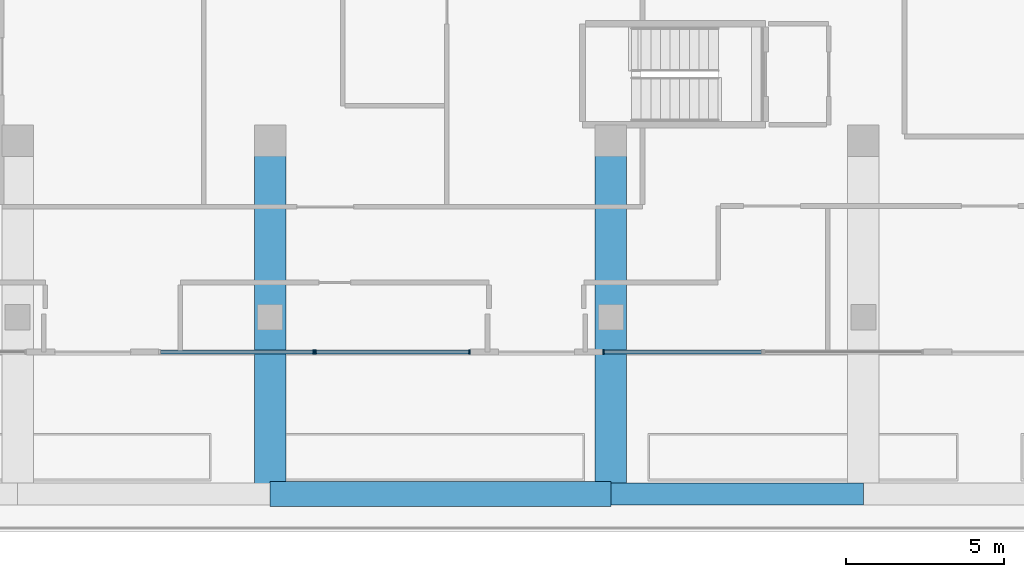
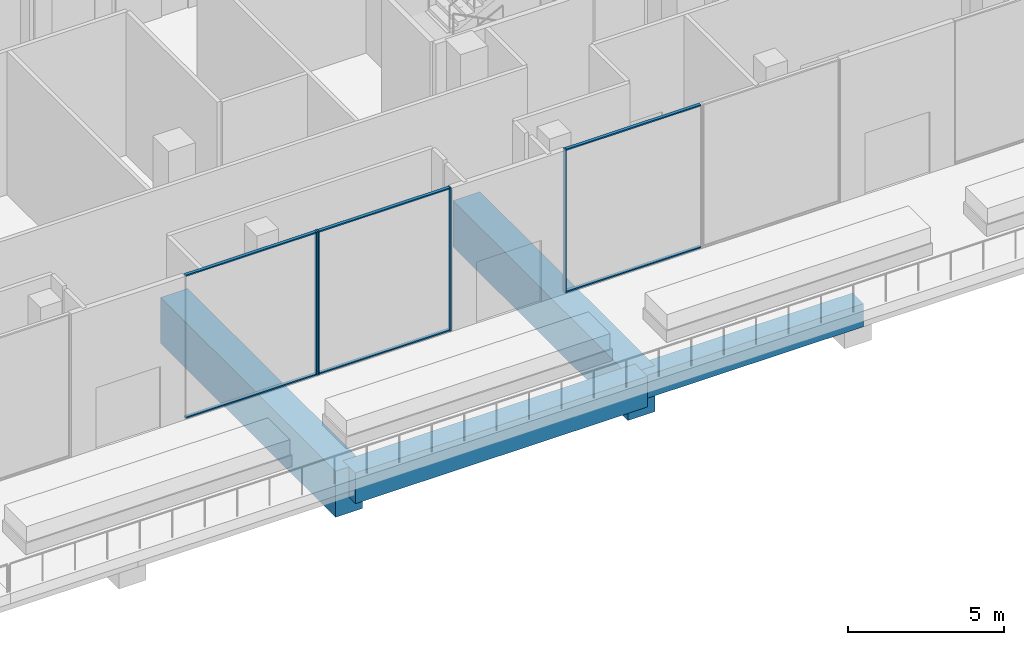
# One storey, part 3 of 36: 10 members, 4 beams, 3 elements without a shape of their own.
"""IFC4 building model written with IfcOpenShell, lengths in metres."""

from ifc_helpers import new_model, si_unit, direction, frame, origin, origin_2d, place, context, subcontext, project, spatial, rectangle, extrude, material, layer, layer_set, material_profile, profile_set, type_object, element, aggregate, save


model = new_model("IFC4")

# Units and contexts
model_context = context("Model", 3, precision=1e-05, world=origin(), true_north=direction((0.0, 1.0)))
body_context = subcontext(model_context, "Body", "Model", "MODEL_VIEW")
ifc_project = project(units=[si_unit("LENGTHUNIT", "METRE"), si_unit("AREAUNIT", "SQUARE_METRE"), si_unit("VOLUMEUNIT", "CUBIC_METRE"), si_unit("PLANEANGLEUNIT", "RADIAN"), si_unit("MASSUNIT", "GRAM", prefix="KILO")], contexts=[model_context])

# Site, building, storey
site_placement = place(None, origin())
site = spatial("IfcSite", under=ifc_project, at=site_placement, CompositionType="ELEMENT")
building_placement = place(site_placement, origin())
building = spatial("IfcBuilding", under=site, at=building_placement, Name="Triada Interchange Tower", CompositionType="ELEMENT")
storey_placement = place(building_placement, frame((0.0, 0.0, 8.5)))
storey = spatial("IfcBuildingStorey", under=building, at=storey_placement, Name="L01", CompositionType="ELEMENT", Elevation=8.5)

# Curtain wall, member
ifc_material_1 = material(Name="Aluminium framed glazing", Category="aluminium")
ifc_layer = layer(ifc_material_1, 0.199951171875)
ifc_layer_set = layer_set([ifc_layer], Name="Curtain wall Retail shopfront")
curtain_wall_type = type_object("IfcCurtainWallType", Name="Curtain wall Retail shopfront", PredefinedType="NOTDEFINED", material=ifc_layer_set)
curtain_wall_1_placement = place(storey_placement, origin())
curtain_wall_1 = element("IfcCurtainWall", 1, at=curtain_wall_1_placement, inside=storey, type_object=curtain_wall_type, Name="Retail shopfront CW002 L01", PredefinedType="NOTDEFINED")
ifc_material_2 = material(Name="Aluminium", Category="aluminium")
ifc_material_profile_1 = material_profile(ifc_material_2, rectangle(XDim=0.14990234375, YDim=0.050048828125, at=origin_2d()), Name="Aluminium mullion")
ifc_profile_set_1 = profile_set([ifc_material_profile_1], Name="Aluminium")
member_type_1 = type_object("IfcMemberType", Name="Mullion Retail shopfront 150x50", PredefinedType="MULLION", material=ifc_profile_set_1)
member_1_placement = place(storey_placement, frame((-21.419921875, -44.800048828125, 0.0), z_axis=(0.0, 0.0, 1.0), x_axis=(0.0, 1.0, 0.0)))
member_1 = element("IfcMember", 2, at=member_1_placement, type_object=member_type_1, Name="CW002 mullion 2", PredefinedType="MULLION", context=body_context, shape_type="SweptSolid", body=[
    extrude(rectangle(XDim=0.14990234375, YDim=0.050048828125, at=origin_2d()), origin(), (0.0, 0.0, 1.0), 5.60009765625),
])

# Curtain wall, members
curtain_wall_2_placement = place(storey_placement, origin())
curtain_wall_2 = element("IfcCurtainWall", 3, at=curtain_wall_2_placement, inside=storey, type_object=curtain_wall_type, Name="Retail shopfront CW003 L01", PredefinedType="NOTDEFINED")
member_2_placement = place(storey_placement, frame((-21.360107421875, -44.800048828125, 0.0), z_axis=(0.0, 0.0, 1.0), x_axis=(0.0, 1.0, 0.0)))
member_2 = element("IfcMember", 4, at=member_2_placement, type_object=member_type_1, Name="CW003 mullion 1", PredefinedType="MULLION", context=body_context, shape_type="SweptSolid", body=[
    extrude(rectangle(XDim=0.14990234375, YDim=0.050048828125, at=origin_2d()), origin(), (0.0, 0.0, 1.0), 5.60009765625),
])
member_3_placement = place(storey_placement, frame((-16.485107421875, -44.800048828125, 0.0), z_axis=(0.0, 0.0, 1.0), x_axis=(0.0, 1.0, 0.0)))
member_3 = element("IfcMember", 5, at=member_3_placement, type_object=member_type_1, Name="CW003 mullion 2", PredefinedType="MULLION", context=body_context, shape_type="SweptSolid", body=[
    extrude(rectangle(XDim=0.14990234375, YDim=0.050048828125, at=origin_2d()), origin(), (0.0, 0.0, 1.0), 5.60009765625),
])

# Curtain wall, member
curtain_wall_3_placement = place(storey_placement, origin())
curtain_wall_3 = element("IfcCurtainWall", 6, at=curtain_wall_3_placement, inside=storey, type_object=curtain_wall_type, Name="Retail shopfront CW004 L01", PredefinedType="NOTDEFINED")
member_4_placement = place(storey_placement, frame((-12.235107421875, -44.800048828125, 0.0), z_axis=(0.0, 0.0, 1.0), x_axis=(0.0, 1.0, 0.0)))
member_4 = element("IfcMember", 7, at=member_4_placement, type_object=member_type_1, Name="CW004 mullion 1", PredefinedType="MULLION", context=body_context, shape_type="SweptSolid", body=[
    extrude(rectangle(XDim=0.14990234375, YDim=0.050048828125, at=origin_2d()), origin(), (0.0, 0.0, 1.0), 5.60009765625),
])

# Beams
ifc_material_3 = material(Name="Concrete C40/50", Category="concrete")
ifc_material_profile_2 = material_profile(ifc_material_3, rectangle(XDim=0.699951171875, YDim=0.89990234375, at=origin_2d()), Name="RC 700x900")
ifc_profile_set_2 = profile_set([ifc_material_profile_2], Name="Concrete C40/50")
beam_type_1 = type_object("IfcBeamType", Name="Terrace beam RC 700x900", PredefinedType="BEAM", material=ifc_profile_set_2)
beam_1_placement = place(storey_placement, frame((-12.0, -49.300048828125, -0.85009765625), z_axis=(1.0, 0.0, 0.0), x_axis=(0.0, 1.0, 0.0)))
element("IfcBeam", 8, at=beam_1_placement, inside=storey, type_object=beam_type_1, Name="Terrace beam TE09 L01", PredefinedType="BEAM", context=body_context, shape_type="SweptSolid", body=[
    extrude(rectangle(XDim=0.699951171875, YDim=0.89990234375, at=origin_2d()), origin(), (0.0, 0.0, 1.0), 8.0),
])
ifc_material_profile_3 = material_profile(ifc_material_3, rectangle(XDim=0.800048828125, YDim=1.199951171875, at=origin_2d()), Name="RC 800x1200")
ifc_profile_set_3 = profile_set([ifc_material_profile_3], Name="Concrete C40/50")
beam_type_2 = type_object("IfcBeamType", Name="Terrace beam RC 800x1200", PredefinedType="BEAM", material=ifc_profile_set_3)
beam_2_placement = place(storey_placement, frame((-22.800048828125, -49.300048828125, -1.0), z_axis=(1.0, 0.0, 0.0), x_axis=(0.0, 1.0, 0.0)))
element("IfcBeam", 9, at=beam_2_placement, inside=storey, type_object=beam_type_2, Name="Terrace beam TE08 L01", PredefinedType="BEAM", context=body_context, shape_type="SweptSolid", body=[
    extrude(rectangle(XDim=0.800048828125, YDim=1.199951171875, at=origin_2d()), origin(), (0.0, 0.0, 1.0), 10.800048828125),
])
ifc_material_4 = material(Name="Concrete C50/60", Category="concrete")
ifc_material_profile_4 = material_profile(ifc_material_4, rectangle(XDim=1.0, YDim=1.800048828125, at=origin_2d()), Name="RC 1000x1800")
ifc_profile_set_4 = profile_set([ifc_material_profile_4], Name="Concrete C50/60")
beam_type_3 = type_object("IfcBeamType", Name="Transfer girder RC 1000x1800", PredefinedType="BEAM", material=ifc_profile_set_4)
for number, where, z_axis, x_axis, name in (
    (10, (-22.800048828125, -49.300048828125, -1.300048828125), (0.0, 1.0, 0.0), (-1.0, 0.0, 0.0), "Transfer girder TG06 L01"),
    (11, (-12.0, -49.300048828125, -1.300048828125), (0.0, 1.0, 0.0), (-1.0, 0.0, 0.0), "Transfer girder TG07 L01"),
):
    element("IfcBeam", number, at=place(storey_placement, frame(where, z_axis=z_axis, x_axis=x_axis)), inside=storey, type_object=beam_type_3, Name=name, PredefinedType="BEAM", context=body_context, shape_type="SweptSolid", body=[
        extrude(rectangle(XDim=1.0, YDim=1.800048828125, at=origin_2d()), origin(), (0.0, 0.0, 1.0), 11.199951171875),
    ])

# Member
ifc_material_profile_5 = material_profile(ifc_material_2, rectangle(XDim=0.1201171875, YDim=0.050048828125, at=origin_2d()), Name="Aluminium transom")
ifc_profile_set_5 = profile_set([ifc_material_profile_5], Name="Aluminium")
member_type_2 = type_object("IfcMemberType", Name="Transom Retail shopfront 120x50", PredefinedType="USERDEFINED", material=ifc_profile_set_5)
member_5_placement = place(storey_placement, frame((-26.27001953125, -44.800048828125, 0.02490234375), z_axis=(1.0, 0.0, 0.0), x_axis=(0.0, 1.0, 0.0)))
member_5 = element("IfcMember", 12, at=member_5_placement, type_object=member_type_2, Name="CW002 transom 1.1", ObjectType="TRANSOM", PredefinedType="USERDEFINED", context=body_context, shape_type="SweptSolid", body=[
    extrude(rectangle(XDim=0.1201171875, YDim=0.050048828125, at=origin_2d()), origin(), (0.0, 0.0, 1.0), 4.824951171875),
])

member_6_placement = place(storey_placement, frame((-26.27001953125, -44.800048828125, 5.574951171875), z_axis=(1.0, 0.0, 0.0), x_axis=(0.0, 1.0, 0.0)))
member_6 = element("IfcMember", 13, at=member_6_placement, type_object=member_type_2, Name="CW002 transom 1.2", ObjectType="TRANSOM", PredefinedType="USERDEFINED", context=body_context, shape_type="SweptSolid", body=[
    extrude(rectangle(XDim=0.1201171875, YDim=0.050048828125, at=origin_2d()), origin(), (0.0, 0.0, 1.0), 4.824951171875),
])

aggregate(curtain_wall_1, [member_1, member_5, member_6])

member_7_placement = place(storey_placement, frame((-21.3349609375, -44.800048828125, 0.02490234375), z_axis=(1.0, 0.0, 0.0), x_axis=(0.0, 1.0, 0.0)))
member_7 = element("IfcMember", 14, at=member_7_placement, type_object=member_type_2, Name="CW003 transom 1.1", ObjectType="TRANSOM", PredefinedType="USERDEFINED", context=body_context, shape_type="SweptSolid", body=[
    extrude(rectangle(XDim=0.1201171875, YDim=0.050048828125, at=origin_2d()), origin(), (0.0, 0.0, 1.0), 4.824951171875),
])

member_8_placement = place(storey_placement, frame((-21.3349609375, -44.800048828125, 5.574951171875), z_axis=(1.0, 0.0, 0.0), x_axis=(0.0, 1.0, 0.0)))
member_8 = element("IfcMember", 15, at=member_8_placement, type_object=member_type_2, Name="CW003 transom 1.2", ObjectType="TRANSOM", PredefinedType="USERDEFINED", context=body_context, shape_type="SweptSolid", body=[
    extrude(rectangle(XDim=0.1201171875, YDim=0.050048828125, at=origin_2d()), origin(), (0.0, 0.0, 1.0), 4.824951171875),
])

aggregate(curtain_wall_2, [member_2, member_3, member_7, member_8])

member_9_placement = place(storey_placement, frame((-12.2099609375, -44.800048828125, 0.02490234375), z_axis=(1.0, 0.0, 0.0), x_axis=(0.0, 1.0, 0.0)))
member_9 = element("IfcMember", 16, at=member_9_placement, type_object=member_type_2, Name="CW004 transom 1.1", ObjectType="TRANSOM", PredefinedType="USERDEFINED", context=body_context, shape_type="SweptSolid", body=[
    extrude(rectangle(XDim=0.1201171875, YDim=0.050048828125, at=origin_2d()), origin(), (0.0, 0.0, 1.0), 4.974853515625),
])

member_10_placement = place(storey_placement, frame((-12.2099609375, -44.800048828125, 5.574951171875), z_axis=(1.0, 0.0, 0.0), x_axis=(0.0, 1.0, 0.0)))
member_10 = element("IfcMember", 17, at=member_10_placement, type_object=member_type_2, Name="CW004 transom 1.2", ObjectType="TRANSOM", PredefinedType="USERDEFINED", context=body_context, shape_type="SweptSolid", body=[
    extrude(rectangle(XDim=0.1201171875, YDim=0.050048828125, at=origin_2d()), origin(), (0.0, 0.0, 1.0), 4.974853515625),
])

aggregate(curtain_wall_3, [member_4, member_9, member_10])

save(model, "model.ifc")
